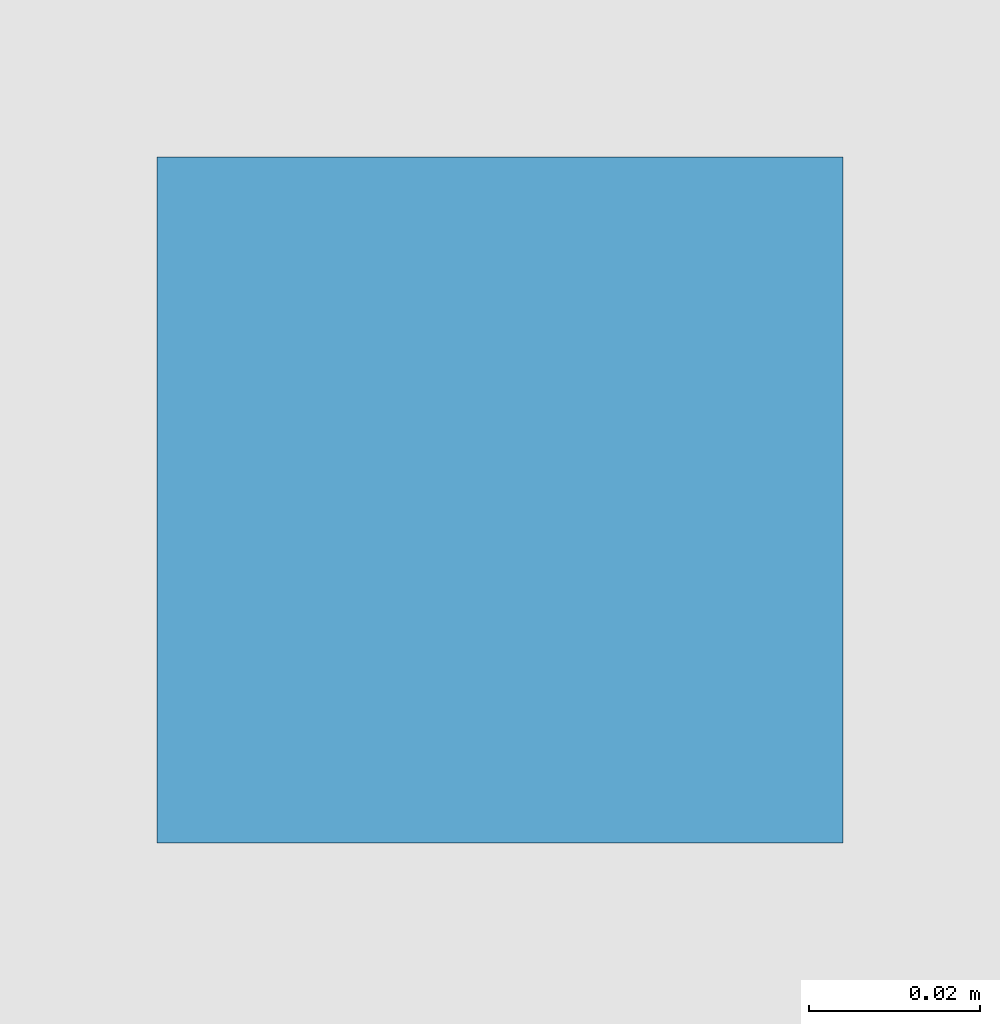
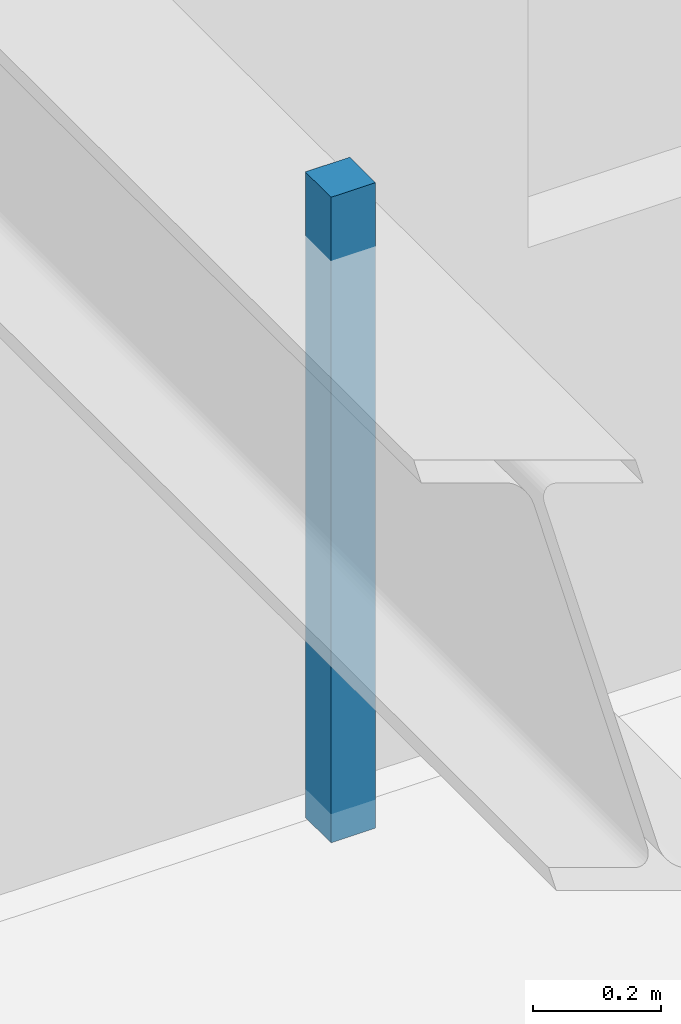
# One storey, part 124 of 144: 1 discrete accessory.
"""IFC4 building model written with IfcOpenShell, lengths in metres."""

from ifc_helpers import new_model, si_unit, direction, frame, origin, origin_2d, place, context, subcontext, project, spatial, rectangle, extrude, material, layer, layer_set, type_object, element, save


model = new_model("IFC4")

# Units and contexts
model_context = context("Model", 3, precision=1e-05, world=origin(), true_north=direction((0.0, 1.0)))
body_context = subcontext(model_context, "Body", "Model", "MODEL_VIEW")
ifc_project = project(units=[si_unit("LENGTHUNIT", "METRE"), si_unit("AREAUNIT", "SQUARE_METRE"), si_unit("VOLUMEUNIT", "CUBIC_METRE"), si_unit("PLANEANGLEUNIT", "RADIAN"), si_unit("MASSUNIT", "GRAM", prefix="KILO")], contexts=[model_context])

# Site, building, storey
site_placement = place(None, origin())
site = spatial("IfcSite", under=ifc_project, at=site_placement, CompositionType="ELEMENT")
building_placement = place(site_placement, origin())
building = spatial("IfcBuilding", under=site, at=building_placement, Name="Varnabhumi Central Station", CompositionType="ELEMENT")
storey_placement = place(building_placement, frame((0.0, 0.0, 4.800048828125)))
storey = spatial("IfcBuildingStorey", under=building, at=storey_placement, Name="L01", CompositionType="ELEMENT", Elevation=4.800048828125)

# Discrete accessory
ifc_material = material(Name="Structural steel E350", Category="steel")
ifc_layer = layer(ifc_material, 0.159912109375, Name="Structural steel E350", Category="steel")
ifc_layer_set = layer_set([ifc_layer], Name="Structural steel E350")
discrete_accessory_type = type_object("IfcDiscreteAccessoryType", Name="ACC-SHADE-BRKT", PredefinedType="BRACKET", material=ifc_layer_set)
discrete_accessory_placement = place(storey_placement, frame((72.050048828125, 111.5, 3.43994140625), z_axis=(0.0, 0.0, 1.0), x_axis=(1.0, 0.0, 0.0)))
element("IfcDiscreteAccessory", 1, at=discrete_accessory_placement, inside=storey, type_object=discrete_accessory_type, Name="Transit Reading and Quiet Lounge Ceiling Hanger", PredefinedType="BRACKET", context=body_context, shape_type="SweptSolid", body=[
    extrude(rectangle(XDim=0.080078125, YDim=0.080078125, at=origin_2d()), origin(), (0.0, 0.0, 1.0), 1.22998046875),
])

save(model, "model.ifc")
